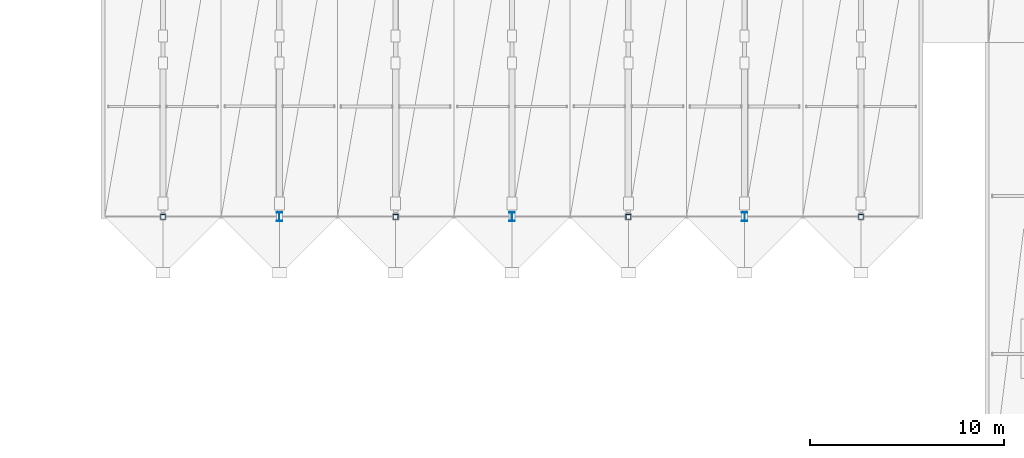
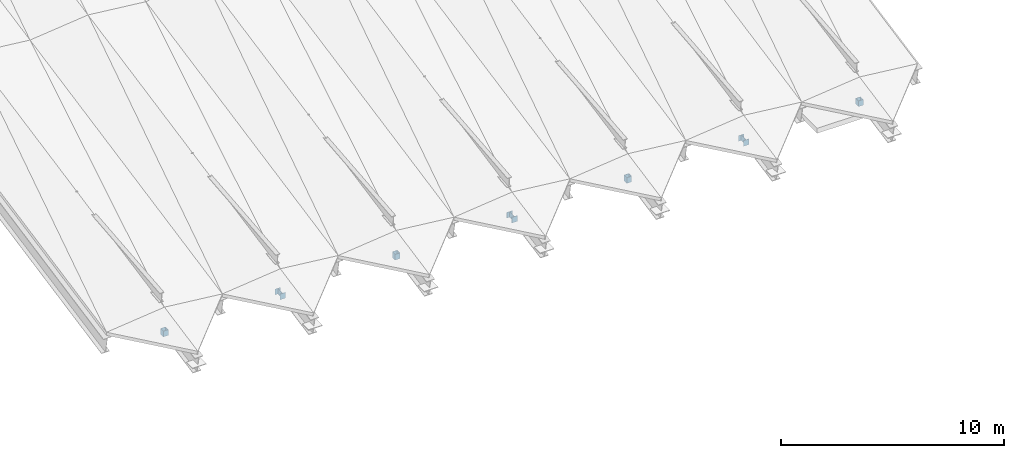
# One storey, part 10 of 52: 7 members.
"""IFC4 building model written with IfcOpenShell, lengths in metres."""

from ifc_helpers import new_model, si_unit, direction, frame, origin, origin_2d, place, context, subcontext, project, spatial, hollow_rectangle, i_section, extrude, material, material_profile, profile_set, type_object, element, save


model = new_model("IFC4")

# Units and contexts
model_context = context("Model", 3, precision=1e-05, world=origin(), true_north=direction((0.0, 1.0)))
body_context = subcontext(model_context, "Body", "Model", "MODEL_VIEW")
ifc_project = project(units=[si_unit("LENGTHUNIT", "METRE"), si_unit("AREAUNIT", "SQUARE_METRE"), si_unit("VOLUMEUNIT", "CUBIC_METRE"), si_unit("PLANEANGLEUNIT", "RADIAN"), si_unit("MASSUNIT", "GRAM", prefix="KILO")], contexts=[model_context])

# Site, building, storey
site_placement = place(None, origin())
site = spatial("IfcSite", under=ifc_project, at=site_placement, CompositionType="ELEMENT")
building_placement = place(site_placement, origin())
building = spatial("IfcBuilding", under=site, at=building_placement, Name="Vaelkrest Opera House", CompositionType="ELEMENT")
storey_placement = place(building_placement, frame((0.0, 0.0, 41.39990234375)))
storey = spatial("IfcBuildingStorey", under=building, at=storey_placement, Name="ROOF", CompositionType="ELEMENT", Elevation=41.39990234375)

# Members
ifc_material_1 = material(Name="Steel A992 Gr50", Category="steel")
ifc_material_profile_1 = material_profile(ifc_material_1, i_section(OverallWidth=0.280029296875, OverallDepth=0.462890625, WebThickness=0.0107421875, FlangeThickness=0.017333984375, at=origin_2d()), Name="W18X76")
ifc_profile_set_1 = profile_set([ifc_material_profile_1], Name="Steel A992 Gr50")
member_type_1 = type_object("IfcMemberType", Name="TC01", PredefinedType="CHORD", material=ifc_profile_set_1)
for number, where, z_axis, x_axis, name in (
    (1, (-66.60009765625, -16.800048828125, -18.5869140625), (0.0, 0.0, 1.0), (1.0, 0.0, 0.0), "Ridge saddle post V3-S-03"),
    (2, (-54.60009765625, -16.800048828125, -18.5869140625), (0.0, 0.0, 1.0), (1.0, 0.0, 0.0), "Ridge saddle post V3-S-07"),
    (3, (-42.60009765625, -16.800048828125, -18.5869140625), (0.0, 0.0, 1.0), (1.0, 0.0, 0.0), "Ridge saddle post V3-S-11"),
):
    element("IfcMember", number, at=place(storey_placement, frame(where, z_axis=z_axis, x_axis=x_axis)), inside=storey, type_object=member_type_1, Name=name, PredefinedType="CHORD", context=body_context, shape_type="SweptSolid", body=[
        extrude(i_section(OverallWidth=0.280029296875, OverallDepth=0.462890625, WebThickness=0.0107421875, FlangeThickness=0.017333984375, at=origin_2d()), origin(), (0.0, 0.0, 1.0), 0.31298828125),
    ])
ifc_material_2 = material(Name="Steel A500 GrC", Category="steel")
ifc_material_profile_2 = material_profile(ifc_material_2, hollow_rectangle(XDim=0.25390625, YDim=0.25390625, WallThickness=0.0126953125, at=origin_2d()), Name="HSS254X254X12.7")
ifc_profile_set_2 = profile_set([ifc_material_profile_2], Name="Steel A500 GrC")
member_type_2 = type_object("IfcMemberType", Name="TC04", PredefinedType="CHORD", material=ifc_profile_set_2)
for number, where, z_axis, x_axis, name in (
    (4, (-72.60009765625, -16.800048828125, -18.5869140625), (0.0, 0.0, 1.0), (1.0, 0.0, 0.0), "Ridge saddle post V3-S-01"),
    (5, (-60.60009765625, -16.800048828125, -18.5869140625), (0.0, 0.0, 1.0), (1.0, 0.0, 0.0), "Ridge saddle post V3-S-05"),
    (6, (-48.60009765625, -16.800048828125, -18.5869140625), (0.0, 0.0, 1.0), (1.0, 0.0, 0.0), "Ridge saddle post V3-S-09"),
    (7, (-36.60009765625, -16.800048828125, -18.5869140625), (0.0, 0.0, 1.0), (1.0, 0.0, 0.0), "Ridge saddle post V3-S-13"),
):
    element("IfcMember", number, at=place(storey_placement, frame(where, z_axis=z_axis, x_axis=x_axis)), inside=storey, type_object=member_type_2, Name=name, PredefinedType="CHORD", context=body_context, shape_type="SweptSolid", body=[
        extrude(hollow_rectangle(XDim=0.25390625, YDim=0.25390625, WallThickness=0.0126953125, at=origin_2d()), origin(), (0.0, 0.0, 1.0), 0.31298828125),
    ])

save(model, "model.ifc")
